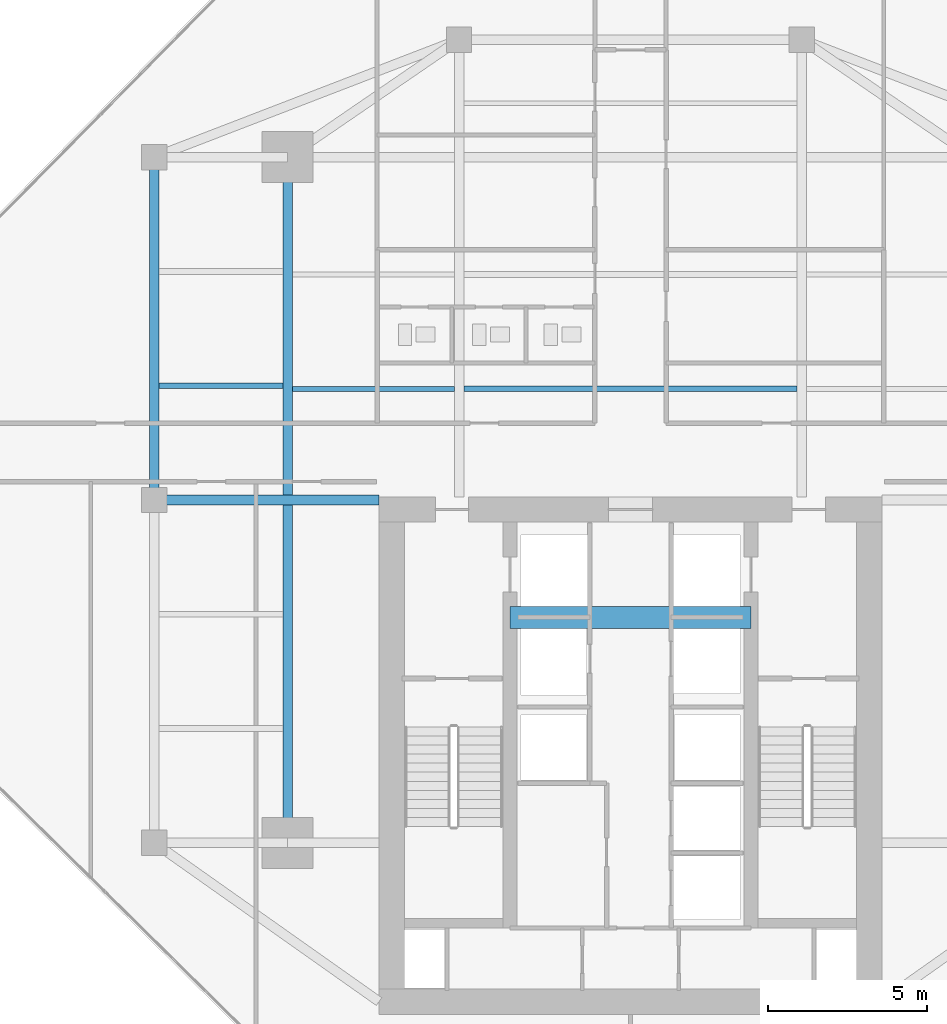
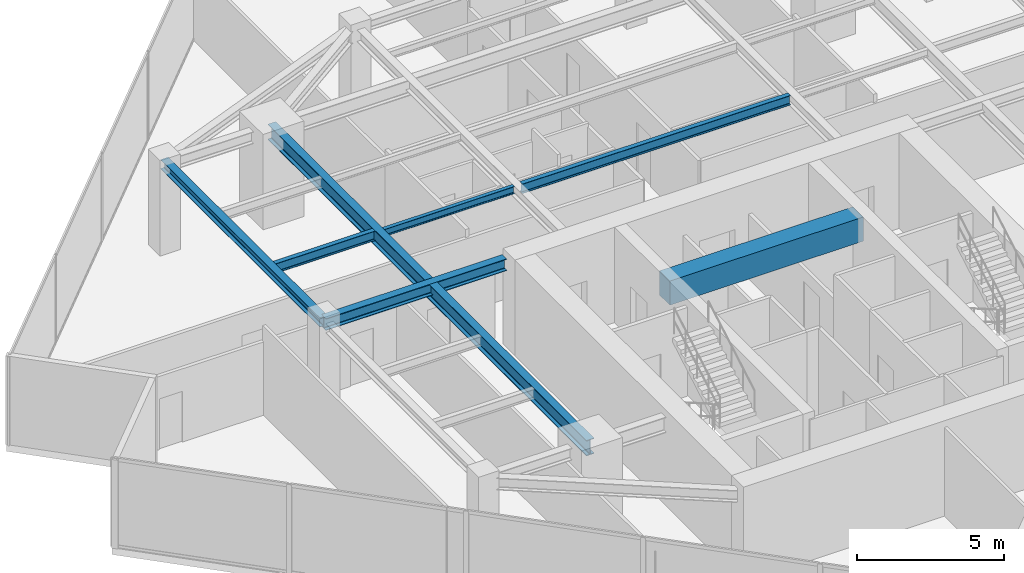
# One storey, part 8 of 24: 7 beams.
"""IFC4 building model written with IfcOpenShell, lengths in metres."""

from ifc_helpers import new_model, si_unit, direction, frame, origin, origin_2d, place, context, subcontext, project, spatial, rectangle, i_section, extrude, source, transform, mapped, material, material_profile, profile_set, type_object, type_shapes, element, save


model = new_model("IFC4")

# Units and contexts
model_context = context("Model", 3, precision=1e-05, world=origin(), true_north=direction((0.0, 1.0)))
body_context = subcontext(model_context, "Body", "Model", "MODEL_VIEW")
ifc_project = project(units=[si_unit("LENGTHUNIT", "METRE"), si_unit("AREAUNIT", "SQUARE_METRE"), si_unit("VOLUMEUNIT", "CUBIC_METRE"), si_unit("PLANEANGLEUNIT", "RADIAN"), si_unit("MASSUNIT", "GRAM", prefix="KILO")], contexts=[model_context])

# Site, building, storey
site_placement = place(None, origin())
site = spatial("IfcSite", under=ifc_project, at=site_placement, CompositionType="ELEMENT")
building_placement = place(site_placement, origin())
building = spatial("IfcBuilding", under=site, at=building_placement, Name="Krantzveldt Concourse Tower", CompositionType="ELEMENT")
storey_placement = place(building_placement, frame((0.0, 0.0, 234.949951171875)))
storey = spatial("IfcBuildingStorey", under=building, at=storey_placement, Name="L57", CompositionType="ELEMENT", Elevation=234.949951171875)

# Beams
ifc_material_1 = material(Name="Steel S355JR", Category="steel")
ifc_material_profile_1 = material_profile(ifc_material_1, i_section(OverallWidth=0.300048828125, OverallDepth=0.639892578125, WebThickness=0.013427734375, FlangeThickness=0.02587890625, FilletRadius=0.027099609375, at=origin_2d()), Name="Steel S355JR", Category="steel")
ifc_profile_set_1 = profile_set([ifc_material_profile_1], Name="Steel S355JR - HEA 650")
beam_type_1 = type_object("IfcBeamType", Name="BM-B-HEA650", PredefinedType="BEAM", material=ifc_profile_set_1)
shared_shape_1 = source(origin(), body_context, "Body", "SweptSolid", [
    extrude(i_section(OverallWidth=0.300048828125, OverallDepth=0.639892578125, WebThickness=0.013427734375, FlangeThickness=0.02587890625, FilletRadius=0.027099609375, at=origin_2d()), origin(), (0.0, 0.0, 1.0), 21.60009765625),
])
type_shapes(beam_type_1, [shared_shape_1])
beam_1_placement = place(storey_placement, frame((25.199951171875, 15.89990234375, 3.35009765625), z_axis=(0.0, 1.0, 0.0), x_axis=(-1.0, 0.0, 0.0)))
element("IfcBeam", 1, at=beam_1_placement, inside=storey, type_object=beam_type_1, Name="L57 Tower Girder BG-MW", PredefinedType="BEAM", context=body_context, shape_type="MappedRepresentation", body=[
    mapped(shared_shape_1, transform((0.0, 0.0, 0.0), x_axis=(1.0, 0.0, 0.0), y_axis=(0.0, 1.0, 0.0), z_axis=(0.0, 0.0, 1.0), scale=1.0)),
])
ifc_material_profile_2 = material_profile(ifc_material_1, i_section(OverallWidth=0.179931640625, OverallDepth=0.39990234375, WebThickness=0.008544921875, FlangeThickness=0.013427734375, FilletRadius=0.02099609375, at=origin_2d()), Name="Steel S355JR", Category="steel")
ifc_profile_set_2 = profile_set([ifc_material_profile_2], Name="Steel S355JR - IPE 400")
beam_type_2 = type_object("IfcBeamType", Name="BM-J-IPE400", PredefinedType="JOIST", material=ifc_profile_set_2)
shared_shape_2 = source(origin(), body_context, "Body", "SweptSolid", [
    extrude(i_section(OverallWidth=0.179931640625, OverallDepth=0.39990234375, WebThickness=0.008544921875, FlangeThickness=0.013427734375, FilletRadius=0.02099609375, at=origin_2d()), origin(), (0.0, 0.0, 1.0), 10.5),
])
beam_2_placement = place(storey_placement, frame((30.75, 30.199951171875, 3.469970703125), z_axis=(1.0, 0.0, 0.0), x_axis=(0.0, 1.0, 0.0)))
element("IfcBeam", 2, at=beam_2_placement, inside=storey, type_object=beam_type_2, Name="L57 Secondary Floor Joist JN-C1", PredefinedType="JOIST", context=body_context, shape_type="MappedRepresentation", body=[
    mapped(shared_shape_2, transform((0.0, 0.0, 0.0), x_axis=(1.0, 0.0, 0.0), y_axis=(0.0, 1.0, 0.0), z_axis=(0.0, 0.0, 1.0), scale=1.0)),
])
ifc_material_2 = material(Name="Concrete C50/60", Category="concrete")
ifc_material_profile_3 = material_profile(ifc_material_2, rectangle(XDim=0.699951171875, YDim=1.0, at=origin_2d()), Name="Concrete C50/60", Category="concrete")
ifc_profile_set_3 = profile_set([ifc_material_profile_3], Name="Concrete C50/60 - RC-CB 700x1000")
beam_type_3 = type_object("IfcBeamType", Name="BM-CB-1000", PredefinedType="LINTEL", material=ifc_profile_set_3)
shared_shape_3 = source(origin(), body_context, "Body", "SweptSolid", [
    extrude(rectangle(XDim=0.699951171875, YDim=1.0, at=origin_2d()), origin(), (0.0, 0.0, 1.0), 7.580078125),
])
type_shapes(beam_type_3, [shared_shape_3])
beam_3_placement = place(storey_placement, frame((32.2099609375, 23.0, 3.170166015625), z_axis=(1.0, 0.0, 0.0), x_axis=(0.0, 1.0, 0.0)))
element("IfcBeam", 3, at=beam_3_placement, inside=storey, type_object=beam_type_3, Name="CB-L57-01", PredefinedType="LINTEL", context=body_context, shape_type="MappedRepresentation", body=[
    mapped(shared_shape_3, transform((0.0, 0.0, 0.0), x_axis=(1.0, 0.0, 0.0), y_axis=(0.0, 1.0, 0.0), z_axis=(0.0, 0.0, 1.0), scale=1.0)),
])
ifc_material_profile_4 = material_profile(ifc_material_1, i_section(OverallWidth=0.300048828125, OverallDepth=0.389892578125, WebThickness=0.010986328125, FlangeThickness=0.01904296875, FilletRadius=0.027099609375, at=origin_2d()), Name="Steel S355JR", Category="steel")
ifc_profile_set_4 = profile_set([ifc_material_profile_4], Name="Steel S355JR - HEA 400")
beam_type_4 = type_object("IfcBeamType", Name="BM-SP-HEA400", PredefinedType="SPANDREL", material=ifc_profile_set_4)
shared_shape_4 = source(origin(), body_context, "Body", "SweptSolid", [
    extrude(i_section(OverallWidth=0.300048828125, OverallDepth=0.389892578125, WebThickness=0.010986328125, FlangeThickness=0.01904296875, FilletRadius=0.027099609375, at=origin_2d()), origin(), (0.0, 0.0, 1.0), 10.800048828125),
])
type_shapes(beam_type_4, [shared_shape_4])
beam_4_placement = place(storey_placement, frame((21.0, 26.699951171875, 3.47509765625), z_axis=(0.0, 1.0, 0.0), x_axis=(-1.0, 0.0, 0.0)))
element("IfcBeam", 4, at=beam_4_placement, inside=storey, type_object=beam_type_4, Name="L57 Tower Girder SP-R02", PredefinedType="SPANDREL", context=body_context, shape_type="MappedRepresentation", body=[
    mapped(shared_shape_4, transform((0.0, 0.0, 0.0), x_axis=(1.0, 0.0, 0.0), y_axis=(0.0, 1.0, 0.0), z_axis=(0.0, 0.0, 1.0), scale=1.0)),
])
ifc_material_profile_5 = material_profile(ifc_material_1, i_section(OverallWidth=0.300048828125, OverallDepth=0.489990234375, WebThickness=0.011962890625, FlangeThickness=0.02294921875, FilletRadius=0.027099609375, at=origin_2d()), Name="Steel S355JR", Category="steel")
ifc_profile_set_5 = profile_set([ifc_material_profile_5], Name="Steel S355JR - HEA 500")
beam_type_5 = type_object("IfcBeamType", Name="BM-B-HEA500", PredefinedType="BEAM", material=ifc_profile_set_5)
shared_shape_5 = source(origin(), body_context, "Body", "SweptSolid", [
    extrude(i_section(OverallWidth=0.300048828125, OverallDepth=0.489990234375, WebThickness=0.011962890625, FlangeThickness=0.02294921875, FilletRadius=0.027099609375, at=origin_2d()), origin(), (0.0, 0.0, 1.0), 7.080078125),
])
type_shapes(beam_type_5, [shared_shape_5])
beam_5_placement = place(storey_placement, frame((21.0, 26.699951171875, 3.425048828125), z_axis=(1.0, 0.0, 0.0), x_axis=(0.0, 1.0, 0.0)))
element("IfcBeam", 5, at=beam_5_placement, inside=storey, type_object=beam_type_5, Name="L57 Tower Girder BG-CW2", PredefinedType="BEAM", context=body_context, shape_type="MappedRepresentation", body=[
    mapped(shared_shape_5, transform((0.0, 0.0, 0.0), x_axis=(1.0, 0.0, 0.0), y_axis=(0.0, 1.0, 0.0), z_axis=(0.0, 0.0, 1.0), scale=1.0)),
])
ifc_material_profile_6 = material_profile(ifc_material_1, i_section(OverallWidth=0.14990234375, OverallDepth=0.300048828125, WebThickness=0.007080078125, FlangeThickness=0.0107421875, FilletRadius=0.014892578125, at=origin_2d()), Name="Steel S355JR", Category="steel")
ifc_profile_set_6 = profile_set([ifc_material_profile_6], Name="Steel S355JR - IPE 300")
beam_type_6 = type_object("IfcBeamType", Name="BM-J-IPE300", PredefinedType="JOIST", material=ifc_profile_set_6)
shared_shape_6 = source(origin(), body_context, "Body", "SweptSolid", [
    extrude(i_section(OverallWidth=0.14990234375, OverallDepth=0.300048828125, WebThickness=0.007080078125, FlangeThickness=0.0107421875, FilletRadius=0.014892578125, at=origin_2d()), origin(), (0.0, 0.0, 1.0), 5.099853515625),
])
type_shapes(beam_type_6, [shared_shape_6])
beam_6_placement = place(storey_placement, frame((25.35009765625, 30.199951171875, 3.52001953125), z_axis=(1.0, 0.0, 0.0), x_axis=(0.0, 1.0, 0.0)))
element("IfcBeam", 6, at=beam_6_placement, inside=storey, type_object=beam_type_6, Name="L57 Secondary Floor Joist JN-W1", PredefinedType="JOIST", context=body_context, shape_type="MappedRepresentation", body=[
    mapped(shared_shape_6, transform((0.0, 0.0, 0.0), x_axis=(1.0, 0.0, 0.0), y_axis=(0.0, 1.0, 0.0), z_axis=(0.0, 0.0, 1.0), scale=1.0)),
])
shared_shape_7 = source(origin(), body_context, "Body", "SweptSolid", [
    extrude(i_section(OverallWidth=0.179931640625, OverallDepth=0.39990234375, WebThickness=0.008544921875, FlangeThickness=0.013427734375, FilletRadius=0.02099609375, at=origin_2d()), origin(), (0.0, 0.0, 1.0), 3.900146484375),
])
type_shapes(beam_type_2, [shared_shape_2, shared_shape_7])
beam_7_placement = place(storey_placement, frame((21.14990234375, 30.300048828125, 3.469970703125), z_axis=(1.0, 0.0, 0.0), x_axis=(0.0, 1.0, 0.0)))
element("IfcBeam", 7, at=beam_7_placement, inside=storey, type_object=beam_type_2, Name="L57 Secondary Floor Joist JW-3", PredefinedType="JOIST", context=body_context, shape_type="MappedRepresentation", body=[
    mapped(shared_shape_7, transform((0.0, 0.0, 0.0), x_axis=(1.0, 0.0, 0.0), y_axis=(0.0, 1.0, 0.0), z_axis=(0.0, 0.0, 1.0), scale=1.0)),
])

save(model, "model.ifc")
